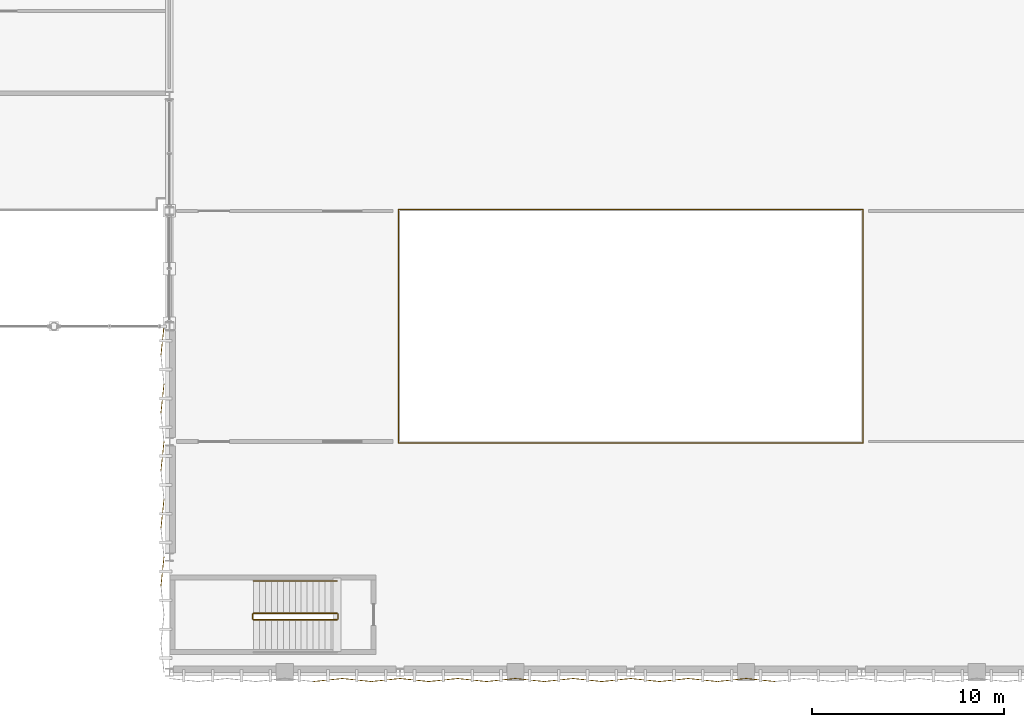
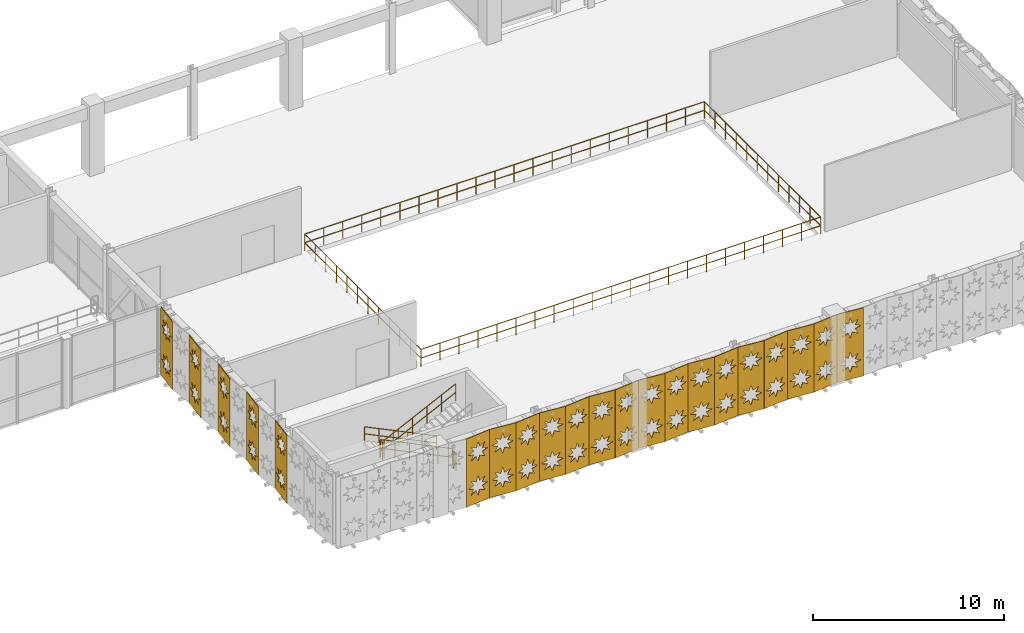
# One storey, part 109 of 116: 21 coverings, 6 railings.
"""IFC4 building model written with IfcOpenShell, lengths in metres."""

from ifc_helpers import new_model, si_unit, direction, frame, origin, origin_2d, place, context, subcontext, project, spatial, polyline, circle, outline, extrude, material, layer, layer_set, type_object, element, save


model = new_model("IFC4")

# Units and contexts
model_context = context("Model", 3, precision=1e-05, world=origin(), true_north=direction((0.0, 1.0)))
body_context = subcontext(model_context, "Body", "Model", "MODEL_VIEW")
ifc_project = project(units=[si_unit("LENGTHUNIT", "METRE"), si_unit("AREAUNIT", "SQUARE_METRE"), si_unit("VOLUMEUNIT", "CUBIC_METRE"), si_unit("PLANEANGLEUNIT", "RADIAN"), si_unit("MASSUNIT", "GRAM", prefix="KILO"), si_unit("THERMODYNAMICTEMPERATUREUNIT", "KELVIN"), si_unit("POWERUNIT", "WATT")], contexts=[model_context])

# Site, building, storey
site_placement = place(None, origin())
site = spatial("IfcSite", under=ifc_project, at=site_placement, CompositionType="ELEMENT")
building_placement = place(site_placement, origin())
building = spatial("IfcBuilding", under=site, at=building_placement, Name="Phaisarnlok Congress Hotel", CompositionType="ELEMENT")
storey_placement = place(building_placement, frame((0.0, 0.0, 10.5)))
storey = spatial("IfcBuildingStorey", under=building, at=storey_placement, Name="L02", CompositionType="ELEMENT", Elevation=10.5)

# Coverings
ifc_material_1 = material(Name="PVDF White Perforated Aluminium Alloy 5052", Category="aluminium")
ifc_layer = layer(ifc_material_1, 0.0400390625, Name="PVDF White Perforated Aluminium Alloy 5052")
ifc_layer_set = layer_set([ifc_layer], Name="PVDF White Perforated Aluminium Alloy 5052")
covering_type = type_object("IfcCoveringType", Name="COV-STAR-FOLD", PredefinedType="CLADDING", material=ifc_layer_set)
for number, where, z_axis, x_axis, name in (
    (1, (103.5, -0.457763671875, 0.06005859375), (0.104566819602, -0.994517863207, 0.0), (0.994517863207, 0.104566819602, 0.0), "Folded star-perforated hall screen SS-02 (V2S L02)"),
    (2, (105.0, -0.300048828125, 0.06005859375), (-0.104566819602, -0.994517863207, 0.0), (0.994517863207, -0.104566819602, 0.0), "Folded star-perforated hall screen SS-02 (V2S L02)"),
    (3, (106.5, -0.457763671875, 0.06005859375), (0.104566819602, -0.994517863207, 0.0), (0.994517863207, 0.104566819602, 0.0), "Folded star-perforated hall screen SS-02 (V2S L02)"),
    (4, (108.0, -0.300048828125, 0.06005859375), (-0.104566819602, -0.994517863207, 0.0), (0.994517863207, -0.104566819602, 0.0), "Folded star-perforated hall screen SS-02 (V2S L02)"),
    (5, (109.5, -0.457763671875, 0.06005859375), (0.104566819602, -0.994517863207, 0.0), (0.994517863207, 0.104566819602, 0.0), "Folded star-perforated hall screen SS-02 (V2S L02)"),
    (6, (111.0, -0.300048828125, 0.06005859375), (-0.104566819602, -0.994517863207, 0.0), (0.994517863207, -0.104566819602, 0.0), "Folded star-perforated hall screen SS-02 (V2S L02)"),
    (7, (112.5, -0.457763671875, 0.06005859375), (0.104566819602, -0.994517863207, 0.0), (0.994517863207, 0.104566819602, 0.0), "Folded star-perforated hall screen SS-02 (V2S L02)"),
    (8, (114.0, -0.300048828125, 0.06005859375), (-0.104566819602, -0.994517863207, 0.0), (0.994517863207, -0.104566819602, 0.0), "Folded star-perforated hall screen SS-02 (V2S L02)"),
    (9, (115.5, -0.457763671875, 0.06005859375), (0.104566819602, -0.994517863207, 0.0), (0.994517863207, 0.104566819602, 0.0), "Folded star-perforated hall screen SS-02 (V2S L02)"),
    (10, (117.0, -0.300048828125, 0.06005859375), (-0.104566819602, -0.994517863207, 0.0), (0.994517863207, -0.104566819602, 0.0), "Folded star-perforated hall screen SS-02 (V2S L02)"),
    (11, (118.5, -0.457763671875, 0.06005859375), (0.104566819602, -0.994517863207, 0.0), (0.994517863207, 0.104566819602, 0.0), "Folded star-perforated hall screen SS-02 (V2S L02)"),
    (12, (120.0, -0.300048828125, 0.06005859375), (-0.104566819602, -0.994517863207, 0.0), (0.994517863207, -0.104566819602, 0.0), "Folded star-perforated hall screen SS-02 (V2S L02)"),
    (13, (121.5, -0.457763671875, 0.06005859375), (0.104566819602, -0.994517863207, 0.0), (0.994517863207, 0.104566819602, 0.0), "Folded star-perforated hall screen SS-02 (V2S L02)"),
    (14, (123.0, -0.300048828125, 0.06005859375), (-0.104566819602, -0.994517863207, 0.0), (0.994517863207, -0.104566819602, 0.0), "Folded star-perforated hall screen SS-02 (V2S L02)"),
    (15, (124.5, -0.457763671875, 0.06005859375), (0.104566819602, -0.994517863207, 0.0), (0.994517863207, 0.104566819602, 0.0), "Folded star-perforated hall screen SS-02 (V2S L02)"),
    (16, (126.0, -0.300048828125, 0.06005859375), (-0.104566819602, -0.994517863207, 0.0), (0.994517863207, -0.104566819602, 0.0), "Folded star-perforated hall screen SS-02 (V2S L02)"),
    (17, (95.542236328125, 4.5, 0.06005859375), (0.994517863207, -0.104566819602, 0.0), (0.104566819602, 0.994517863207, 0.0), "Folded star-perforated hall screen SS-02 (V2W L02)"),
    (18, (95.542236328125, 7.5, 0.06005859375), (0.994517863207, -0.104566819602, 0.0), (0.104566819602, 0.994517863207, 0.0), "Folded star-perforated hall screen SS-02 (V2W L02)"),
    (19, (95.542236328125, 10.5, 0.06005859375), (0.994517863207, -0.104566819602, 0.0), (0.104566819602, 0.994517863207, 0.0), "Folded star-perforated hall screen SS-02 (V2W L02)"),
    (20, (95.542236328125, 13.5, 0.06005859375), (0.994517863207, -0.104566819602, 0.0), (0.104566819602, 0.994517863207, 0.0), "Folded star-perforated hall screen SS-02 (V2W L02)"),
    (21, (95.542236328125, 16.5, 0.06005859375), (0.994517863207, -0.104566819602, 0.0), (0.104566819602, 0.994517863207, 0.0), "Folded star-perforated hall screen SS-02 (V2W L02)"),
):
    element("IfcCovering", number, at=place(storey_placement, frame(where, z_axis=z_axis, x_axis=x_axis)), inside=storey, type_object=covering_type, Name=name, PredefinedType="CLADDING", context=body_context, shape_type="SweptSolid", body=[
        extrude(outline(polyline([(0.0, 0.0), (1.5082685344258453, 0.0), (1.5082685344258453, 4.35986328125), (0.0, 4.35986328125), (0.0, 0.0)]), holes=[polyline([(1.0351, 0.9736), (1.2021, 0.6421), (0.8705, 0.8091), (0.7541, 0.4565), (0.6378, 0.8091), (0.3062, 0.6421), (0.4732, 0.9736), (0.1207, 1.09), (0.4732, 1.2064), (0.3062, 1.5379), (0.6378, 1.3709), (0.7541, 1.7235), (0.8705, 1.3709), (1.2021, 1.5379), (1.0351, 1.2064), (1.3876, 1.09), (1.0351, 0.9736)]), polyline([(1.0351, 3.1536), (1.2021, 2.8221), (0.8705, 2.9891), (0.7541, 2.6365), (0.6378, 2.9891), (0.3062, 2.8221), (0.4732, 3.1536), (0.1207, 3.27), (0.4732, 3.3864), (0.3062, 3.7179), (0.6378, 3.5509), (0.7541, 3.9035), (0.8705, 3.5509), (1.2021, 3.7179), (1.0351, 3.3864), (1.3876, 3.27), (1.0351, 3.1536)])]), origin(), (0.0, 0.0, 1.0), 0.0400390625),
    ])

# Railings
ifc_material_2 = material(Name="Laminated Glass & Stainless Steel Grade 316", Category="steel")
railing_type_1 = type_object("IfcRailingType", Name="RLG-INT-1100", PredefinedType="BALUSTRADE", material=ifc_material_2)
railing_1_placement = place(storey_placement, frame((132.080078125, 11.919921875, 0.0)))
element("IfcRailing", 22, at=railing_1_placement, inside=storey, type_object=railing_type_1, Name="Atrium gallery guard balustrade GD-02 (L02 v2)", PredefinedType="BALUSTRADE", context=body_context, shape_type="SweptSolid", body=[
    extrude(circle(Radius=0.02392578125, at=origin_2d()), frame((0.0, 0.0, 1.076171875), z_axis=(0.0, 1.0, 0.0), x_axis=(-1.0, 0.0, 0.0)), (0.0, 0.0, 1.0), 12.16015625),
    extrude(circle(Radius=0.02392578125, at=origin_2d()), frame((0.0, 0.0, 0.52587890625), z_axis=(0.0, 1.0, 0.0), x_axis=(-1.0, 0.0, 0.0)), (0.0, 0.0, 1.0), 12.16015625),
    extrude(circle(Radius=0.02392578125, at=origin_2d()), frame((0.0, 12.16015625, 1.076171875), z_axis=(-1.0, 0.0, 0.0), x_axis=(0.0, -1.0, 0.0)), (0.0, 0.0, 1.0), 24.16015625),
    extrude(circle(Radius=0.02392578125, at=origin_2d()), frame((0.0, 12.16015625, 0.52587890625), z_axis=(-1.0, 0.0, 0.0), x_axis=(0.0, -1.0, 0.0)), (0.0, 0.0, 1.0), 24.16015625),
    extrude(circle(Radius=0.02392578125, at=origin_2d()), frame((-24.16015625, 12.16015625, 1.076171875), z_axis=(0.0, -1.0, 0.0), x_axis=(1.0, 0.0, 0.0)), (0.0, 0.0, 1.0), 12.16015625),
    extrude(circle(Radius=0.02392578125, at=origin_2d()), frame((-24.16015625, 12.16015625, 0.52587890625), z_axis=(0.0, -1.0, 0.0), x_axis=(1.0, 0.0, 0.0)), (0.0, 0.0, 1.0), 12.16015625),
    extrude(circle(Radius=0.02392578125, at=origin_2d()), frame((-24.16015625, 0.0, 1.076171875), z_axis=(1.0, 0.0, 0.0), x_axis=(0.0, 1.0, 0.0)), (0.0, 0.0, 1.0), 24.16015625),
    extrude(circle(Radius=0.02392578125, at=origin_2d()), frame((-24.16015625, 0.0, 0.52587890625), z_axis=(1.0, 0.0, 0.0), x_axis=(0.0, 1.0, 0.0)), (0.0, 0.0, 1.0), 24.16015625),
    extrude(circle(Radius=0.02099609375, at=origin_2d()), origin(), (0.0, 0.0, 1.0), 1.052001953125),
    extrude(circle(Radius=0.02099609375, at=origin_2d()), frame((0.0, 1.10546875, 0.0)), (0.0, 0.0, 1.0), 1.052001953125),
    extrude(circle(Radius=0.02099609375, at=origin_2d()), frame((0.0, 2.2109375, 0.0)), (0.0, 0.0, 1.0), 1.052001953125),
    extrude(circle(Radius=0.02099609375, at=origin_2d()), frame((0.0, 3.31640625, 0.0)), (0.0, 0.0, 1.0), 1.052001953125),
    extrude(circle(Radius=0.02099609375, at=origin_2d()), frame((0.0, 4.421875, 0.0)), (0.0, 0.0, 1.0), 1.052001953125),
    extrude(circle(Radius=0.02099609375, at=origin_2d()), frame((0.0, 5.52734375, 0.0)), (0.0, 0.0, 1.0), 1.052001953125),
    extrude(circle(Radius=0.02099609375, at=origin_2d()), frame((0.0, 6.6328125, 0.0)), (0.0, 0.0, 1.0), 1.052001953125),
    extrude(circle(Radius=0.02099609375, at=origin_2d()), frame((0.0, 7.73828125, 0.0)), (0.0, 0.0, 1.0), 1.052001953125),
    extrude(circle(Radius=0.02099609375, at=origin_2d()), frame((0.0, 8.84375, 0.0)), (0.0, 0.0, 1.0), 1.052001953125),
    extrude(circle(Radius=0.02099609375, at=origin_2d()), frame((0.0, 9.94921875, 0.0)), (0.0, 0.0, 1.0), 1.052001953125),
    extrude(circle(Radius=0.02099609375, at=origin_2d()), frame((0.0, 11.0546875, 0.0)), (0.0, 0.0, 1.0), 1.052001953125),
    extrude(circle(Radius=0.02099609375, at=origin_2d()), frame((0.0, 12.16015625, 0.0)), (0.0, 0.0, 1.0), 1.052001953125),
    extrude(circle(Radius=0.02099609375, at=origin_2d()), frame((-1.150390625, 12.16015625, 0.0)), (0.0, 0.0, 1.0), 1.052001953125),
    extrude(circle(Radius=0.02099609375, at=origin_2d()), frame((-2.301025390625, 12.16015625, 0.0)), (0.0, 0.0, 1.0), 1.052001953125),
    extrude(circle(Radius=0.02099609375, at=origin_2d()), frame((-3.451416015625, 12.16015625, 0.0)), (0.0, 0.0, 1.0), 1.052001953125),
    extrude(circle(Radius=0.02099609375, at=origin_2d()), frame((-4.60205078125, 12.16015625, 0.0)), (0.0, 0.0, 1.0), 1.052001953125),
    extrude(circle(Radius=0.02099609375, at=origin_2d()), frame((-5.75244140625, 12.16015625, 0.0)), (0.0, 0.0, 1.0), 1.052001953125),
    extrude(circle(Radius=0.02099609375, at=origin_2d()), frame((-6.90283203125, 12.16015625, 0.0)), (0.0, 0.0, 1.0), 1.052001953125),
    extrude(circle(Radius=0.02099609375, at=origin_2d()), frame((-8.053466796875, 12.16015625, 0.0)), (0.0, 0.0, 1.0), 1.052001953125),
    extrude(circle(Radius=0.02099609375, at=origin_2d()), frame((-9.203857421875, 12.16015625, 0.0)), (0.0, 0.0, 1.0), 1.052001953125),
    extrude(circle(Radius=0.02099609375, at=origin_2d()), frame((-10.354248046875, 12.16015625, 0.0)), (0.0, 0.0, 1.0), 1.052001953125),
    extrude(circle(Radius=0.02099609375, at=origin_2d()), frame((-11.5048828125, 12.16015625, 0.0)), (0.0, 0.0, 1.0), 1.052001953125),
    extrude(circle(Radius=0.02099609375, at=origin_2d()), frame((-12.6552734375, 12.16015625, 0.0)), (0.0, 0.0, 1.0), 1.052001953125),
    extrude(circle(Radius=0.02099609375, at=origin_2d()), frame((-13.805908203125, 12.16015625, 0.0)), (0.0, 0.0, 1.0), 1.052001953125),
    extrude(circle(Radius=0.02099609375, at=origin_2d()), frame((-14.956298828125, 12.16015625, 0.0)), (0.0, 0.0, 1.0), 1.052001953125),
    extrude(circle(Radius=0.02099609375, at=origin_2d()), frame((-16.106689453125, 12.16015625, 0.0)), (0.0, 0.0, 1.0), 1.052001953125),
    extrude(circle(Radius=0.02099609375, at=origin_2d()), frame((-17.25732421875, 12.16015625, 0.0)), (0.0, 0.0, 1.0), 1.052001953125),
    extrude(circle(Radius=0.02099609375, at=origin_2d()), frame((-18.40771484375, 12.16015625, 0.0)), (0.0, 0.0, 1.0), 1.052001953125),
    extrude(circle(Radius=0.02099609375, at=origin_2d()), frame((-19.55810546875, 12.16015625, 0.0)), (0.0, 0.0, 1.0), 1.052001953125),
    extrude(circle(Radius=0.02099609375, at=origin_2d()), frame((-20.708740234375, 12.16015625, 0.0)), (0.0, 0.0, 1.0), 1.052001953125),
    extrude(circle(Radius=0.02099609375, at=origin_2d()), frame((-21.859130859375, 12.16015625, 0.0)), (0.0, 0.0, 1.0), 1.052001953125),
    extrude(circle(Radius=0.02099609375, at=origin_2d()), frame((-23.009765625, 12.16015625, 0.0)), (0.0, 0.0, 1.0), 1.052001953125),
    extrude(circle(Radius=0.02099609375, at=origin_2d()), frame((-24.16015625, 12.16015625, 0.0)), (0.0, 0.0, 1.0), 1.052001953125),
    extrude(circle(Radius=0.02099609375, at=origin_2d()), frame((-24.16015625, 11.0546875, 0.0)), (0.0, 0.0, 1.0), 1.052001953125),
    extrude(circle(Radius=0.02099609375, at=origin_2d()), frame((-24.16015625, 9.94921875, 0.0)), (0.0, 0.0, 1.0), 1.052001953125),
    extrude(circle(Radius=0.02099609375, at=origin_2d()), frame((-24.16015625, 8.84375, 0.0)), (0.0, 0.0, 1.0), 1.052001953125),
    extrude(circle(Radius=0.02099609375, at=origin_2d()), frame((-24.16015625, 7.73828125, 0.0)), (0.0, 0.0, 1.0), 1.052001953125),
    extrude(circle(Radius=0.02099609375, at=origin_2d()), frame((-24.16015625, 6.6328125, 0.0)), (0.0, 0.0, 1.0), 1.052001953125),
    extrude(circle(Radius=0.02099609375, at=origin_2d()), frame((-24.16015625, 5.52734375, 0.0)), (0.0, 0.0, 1.0), 1.052001953125),
    extrude(circle(Radius=0.02099609375, at=origin_2d()), frame((-24.16015625, 4.421875, 0.0)), (0.0, 0.0, 1.0), 1.052001953125),
    extrude(circle(Radius=0.02099609375, at=origin_2d()), frame((-24.16015625, 3.31640625, 0.0)), (0.0, 0.0, 1.0), 1.052001953125),
    extrude(circle(Radius=0.02099609375, at=origin_2d()), frame((-24.16015625, 2.2109375, 0.0)), (0.0, 0.0, 1.0), 1.052001953125),
    extrude(circle(Radius=0.02099609375, at=origin_2d()), frame((-24.16015625, 1.10546875, 0.0)), (0.0, 0.0, 1.0), 1.052001953125),
    extrude(circle(Radius=0.02099609375, at=origin_2d()), frame((-24.16015625, 0.0, 0.0)), (0.0, 0.0, 1.0), 1.052001953125),
    extrude(circle(Radius=0.02099609375, at=origin_2d()), frame((-23.009765625, 0.0, 0.0)), (0.0, 0.0, 1.0), 1.052001953125),
    extrude(circle(Radius=0.02099609375, at=origin_2d()), frame((-21.859130859375, 0.0, 0.0)), (0.0, 0.0, 1.0), 1.052001953125),
    extrude(circle(Radius=0.02099609375, at=origin_2d()), frame((-20.708740234375, 0.0, 0.0)), (0.0, 0.0, 1.0), 1.052001953125),
    extrude(circle(Radius=0.02099609375, at=origin_2d()), frame((-19.55810546875, 0.0, 0.0)), (0.0, 0.0, 1.0), 1.052001953125),
    extrude(circle(Radius=0.02099609375, at=origin_2d()), frame((-18.40771484375, 0.0, 0.0)), (0.0, 0.0, 1.0), 1.052001953125),
    extrude(circle(Radius=0.02099609375, at=origin_2d()), frame((-17.25732421875, 0.0, 0.0)), (0.0, 0.0, 1.0), 1.052001953125),
    extrude(circle(Radius=0.02099609375, at=origin_2d()), frame((-16.106689453125, 0.0, 0.0)), (0.0, 0.0, 1.0), 1.052001953125),
    extrude(circle(Radius=0.02099609375, at=origin_2d()), frame((-14.956298828125, 0.0, 0.0)), (0.0, 0.0, 1.0), 1.052001953125),
    extrude(circle(Radius=0.02099609375, at=origin_2d()), frame((-13.805908203125, 0.0, 0.0)), (0.0, 0.0, 1.0), 1.052001953125),
    extrude(circle(Radius=0.02099609375, at=origin_2d()), frame((-12.6552734375, 0.0, 0.0)), (0.0, 0.0, 1.0), 1.052001953125),
    extrude(circle(Radius=0.02099609375, at=origin_2d()), frame((-11.5048828125, 0.0, 0.0)), (0.0, 0.0, 1.0), 1.052001953125),
    extrude(circle(Radius=0.02099609375, at=origin_2d()), frame((-10.354248046875, 0.0, 0.0)), (0.0, 0.0, 1.0), 1.052001953125),
    extrude(circle(Radius=0.02099609375, at=origin_2d()), frame((-9.203857421875, 0.0, 0.0)), (0.0, 0.0, 1.0), 1.052001953125),
    extrude(circle(Radius=0.02099609375, at=origin_2d()), frame((-8.053466796875, 0.0, 0.0)), (0.0, 0.0, 1.0), 1.052001953125),
    extrude(circle(Radius=0.02099609375, at=origin_2d()), frame((-6.90283203125, 0.0, 0.0)), (0.0, 0.0, 1.0), 1.052001953125),
    extrude(circle(Radius=0.02099609375, at=origin_2d()), frame((-5.75244140625, 0.0, 0.0)), (0.0, 0.0, 1.0), 1.052001953125),
    extrude(circle(Radius=0.02099609375, at=origin_2d()), frame((-4.60205078125, 0.0, 0.0)), (0.0, 0.0, 1.0), 1.052001953125),
    extrude(circle(Radius=0.02099609375, at=origin_2d()), frame((-3.451416015625, 0.0, 0.0)), (0.0, 0.0, 1.0), 1.052001953125),
    extrude(circle(Radius=0.02099609375, at=origin_2d()), frame((-2.301025390625, 0.0, 0.0)), (0.0, 0.0, 1.0), 1.052001953125),
    extrude(circle(Radius=0.02099609375, at=origin_2d()), frame((-1.150390625, 0.0, 0.0)), (0.0, 0.0, 1.0), 1.052001953125),
])
ifc_material_3 = material(Name="Painted Galvanised Steel S275", Category="steel")
railing_type_2 = type_object("IfcRailingType", Name="RLG-STR-GUARD", PredefinedType="BALUSTRADE", material=ifc_material_3)
railing_2_placement = place(storey_placement, frame((104.719970703125, 3.070068359375, 0.14990234375)))
element("IfcRailing", 23, at=railing_2_placement, inside=storey, type_object=railing_type_2, Name="L02 ST-04 stair guard 1", PredefinedType="BALUSTRADE", context=body_context, shape_type="SweptSolid", body=[
    extrude(circle(Radius=0.02392578125, at=origin_2d()), frame((0.0, 0.0, 1.076171875), z_axis=(-0.900154768424, 0.0, 0.435570192832), x_axis=(0.0, -1.0, 0.0)), (0.0, 0.0, 1.0), 4.821533203125),
    extrude(circle(Radius=0.02392578125, at=origin_2d()), frame((0.0, 0.0, 0.52587890625), z_axis=(-0.900154768424, 0.0, 0.435570192832), x_axis=(0.0, -1.0, 0.0)), (0.0, 0.0, 1.0), 4.821533203125),
    extrude(circle(Radius=0.02099609375, at=origin_2d()), origin(), (0.0, 0.0, 1.0), 1.052001953125),
    extrude(circle(Radius=0.02099609375, at=origin_2d()), frame((-0.867919921875, 0.0, 0.419921875)), (0.0, 0.0, 1.0), 1.052001953125),
    extrude(circle(Radius=0.02099609375, at=origin_2d()), frame((-1.736083984375, 0.0, 0.840087890625)), (0.0, 0.0, 1.0), 1.052001953125),
    extrude(circle(Radius=0.02099609375, at=origin_2d()), frame((-2.60400390625, 0.0, 1.260009765625)), (0.0, 0.0, 1.0), 1.052001953125),
    extrude(circle(Radius=0.02099609375, at=origin_2d()), frame((-3.47216796875, 0.0, 1.68017578125)), (0.0, 0.0, 1.0), 1.052001953125),
    extrude(circle(Radius=0.02099609375, at=origin_2d()), frame((-4.340087890625, 0.0, 2.10009765625)), (0.0, 0.0, 1.0), 1.052001953125),
])
railing_3_placement = place(storey_placement, frame((100.330078125, 3.02001953125, 2.25)))
element("IfcRailing", 24, at=railing_3_placement, inside=storey, type_object=railing_type_2, Name="L02 ST-04 stair guard 2", PredefinedType="BALUSTRADE", context=body_context, shape_type="SweptSolid", body=[
    extrude(circle(Radius=0.02392578125, at=origin_2d()), frame((0.0, 0.0, 1.076171875), z_axis=(0.0, -1.0, 0.0), x_axis=(1.0, 0.0, 0.0)), (0.0, 0.0, 1.0), 0.239990234375),
    extrude(circle(Radius=0.02392578125, at=origin_2d()), frame((0.0, 0.0, 0.52587890625), z_axis=(0.0, -1.0, 0.0), x_axis=(1.0, 0.0, 0.0)), (0.0, 0.0, 1.0), 0.239990234375),
    extrude(circle(Radius=0.02099609375, at=origin_2d()), origin(), (0.0, 0.0, 1.0), 1.052001953125),
    extrude(circle(Radius=0.02099609375, at=origin_2d()), frame((0.0, -0.239990234375, 0.0)), (0.0, 0.0, 1.0), 1.052001953125),
])
railing_4_placement = place(storey_placement, frame((100.3798828125, 2.72998046875, 2.39990234375)))
element("IfcRailing", 25, at=railing_4_placement, inside=storey, type_object=railing_type_2, Name="L02 ST-04 stair guard 3", PredefinedType="BALUSTRADE", context=body_context, shape_type="SweptSolid", body=[
    extrude(circle(Radius=0.02392578125, at=origin_2d()), frame((0.0, 0.0, 1.076171875), z_axis=(0.900154768424, 0.0, 0.435570192832), x_axis=(0.0, 1.0, 0.0)), (0.0, 0.0, 1.0), 4.821533203125),
    extrude(circle(Radius=0.02392578125, at=origin_2d()), frame((0.0, 0.0, 0.52587890625), z_axis=(0.900154768424, 0.0, 0.435570192832), x_axis=(0.0, 1.0, 0.0)), (0.0, 0.0, 1.0), 4.821533203125),
    extrude(circle(Radius=0.02099609375, at=origin_2d()), origin(), (0.0, 0.0, 1.0), 1.052001953125),
    extrude(circle(Radius=0.02099609375, at=origin_2d()), frame((0.867919921875, 0.0, 0.419921875)), (0.0, 0.0, 1.0), 1.052001953125),
    extrude(circle(Radius=0.02099609375, at=origin_2d()), frame((1.736083984375, 0.0, 0.840087890625)), (0.0, 0.0, 1.0), 1.052001953125),
    extrude(circle(Radius=0.02099609375, at=origin_2d()), frame((2.60400390625, 0.0, 1.260009765625)), (0.0, 0.0, 1.0), 1.052001953125),
    extrude(circle(Radius=0.02099609375, at=origin_2d()), frame((3.47216796875, 0.0, 1.68017578125)), (0.0, 0.0, 1.0), 1.052001953125),
    extrude(circle(Radius=0.02099609375, at=origin_2d()), frame((4.340087890625, 0.0, 2.10009765625)), (0.0, 0.0, 1.0), 1.052001953125),
])
railing_5_placement = place(storey_placement, frame((104.77001953125, 3.02001953125, 0.0)))
element("IfcRailing", 26, at=railing_5_placement, inside=storey, type_object=railing_type_2, Name="L02 ST-04 stair guard 4", PredefinedType="BALUSTRADE", context=body_context, shape_type="SweptSolid", body=[
    extrude(circle(Radius=0.02392578125, at=origin_2d()), frame((0.0, 0.0, 1.076171875), z_axis=(0.0, -1.0, 0.0), x_axis=(1.0, 0.0, 0.0)), (0.0, 0.0, 1.0), 0.239990234375),
    extrude(circle(Radius=0.02392578125, at=origin_2d()), frame((0.0, 0.0, 0.52587890625), z_axis=(0.0, -1.0, 0.0), x_axis=(1.0, 0.0, 0.0)), (0.0, 0.0, 1.0), 0.239990234375),
    extrude(circle(Radius=0.02099609375, at=origin_2d()), origin(), (0.0, 0.0, 1.0), 1.052001953125),
    extrude(circle(Radius=0.02099609375, at=origin_2d()), frame((0.0, -0.239990234375, 0.0)), (0.0, 0.0, 1.0), 1.052001953125),
])
ifc_material_4 = material(Name="Brushed Stainless Steel Grade 304", Category="steel")
railing_type_3 = type_object("IfcRailingType", Name="RLG-STR-HRAIL", PredefinedType="HANDRAIL", material=ifc_material_4)
railing_6_placement = place(storey_placement, frame((104.719970703125, 4.75, 0.14990234375)))
element("IfcRailing", 27, at=railing_6_placement, inside=storey, type_object=railing_type_3, Name="L02 ST-04 stair handrail 1", PredefinedType="HANDRAIL", context=body_context, shape_type="SweptSolid", body=[
    extrude(circle(Radius=0.02392578125, at=origin_2d()), frame((0.0, 0.0, 0.8759765625), z_axis=(-0.900154768424, 0.0, 0.435570192832), x_axis=(0.0, -1.0, 0.0)), (0.0, 0.0, 1.0), 4.821533203125),
    extrude(circle(Radius=0.02392578125, at=origin_2d()), frame((0.0, 0.0, 0.42578125), z_axis=(-0.900154768424, 0.0, 0.435570192832), x_axis=(0.0, -1.0, 0.0)), (0.0, 0.0, 1.0), 4.821533203125),
    extrude(circle(Radius=0.02099609375, at=origin_2d()), origin(), (0.0, 0.0, 1.0), 0.851806640625),
    extrude(circle(Radius=0.02099609375, at=origin_2d()), frame((-0.867919921875, 0.0, 0.419921875)), (0.0, 0.0, 1.0), 0.851806640625),
    extrude(circle(Radius=0.02099609375, at=origin_2d()), frame((-1.736083984375, 0.0, 0.840087890625)), (0.0, 0.0, 1.0), 0.851806640625),
    extrude(circle(Radius=0.02099609375, at=origin_2d()), frame((-2.60400390625, 0.0, 1.260009765625)), (0.0, 0.0, 1.0), 0.851806640625),
    extrude(circle(Radius=0.02099609375, at=origin_2d()), frame((-3.47216796875, 0.0, 1.68017578125)), (0.0, 0.0, 1.0), 0.851806640625),
    extrude(circle(Radius=0.02099609375, at=origin_2d()), frame((-4.340087890625, 0.0, 2.10009765625)), (0.0, 0.0, 1.0), 0.851806640625),
])

save(model, "model.ifc")
